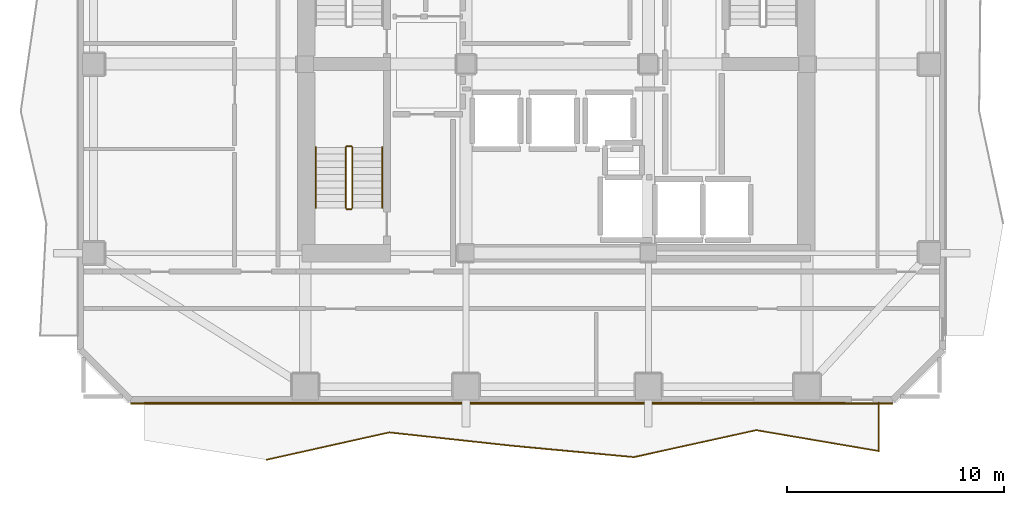
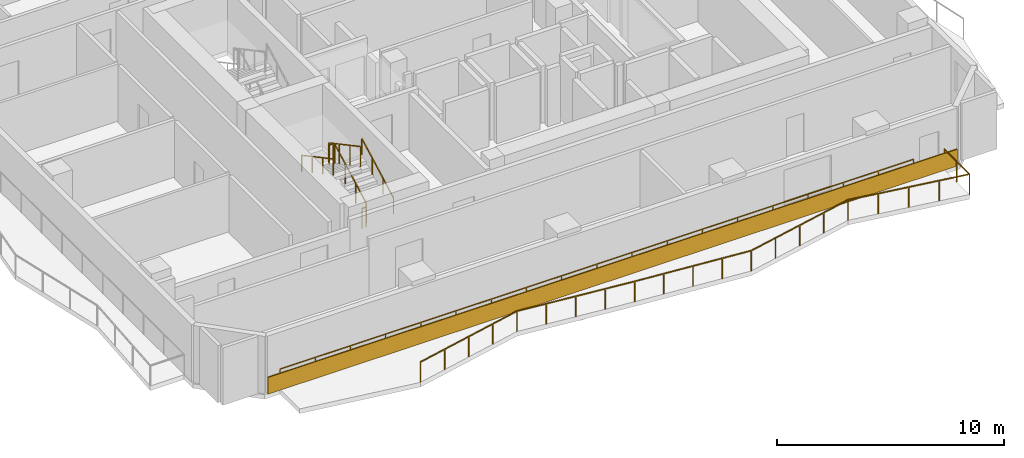
# One storey, part 7 of 10: 8 railings, 1 covering.
"""IFC4 building model written with IfcOpenShell, lengths in metres."""

from ifc_helpers import new_model, si_unit, direction, frame, frame_2d, origin, origin_2d, place, context, subcontext, project, spatial, rectangle, extrude, material, layer, layer_set, type_object, element, save


model = new_model("IFC4")

# Units and contexts
model_context = context("Model", 3, precision=1e-05, world=origin(), true_north=direction((0.0, 1.0)))
body_context = subcontext(model_context, "Body", "Model", "MODEL_VIEW")
ifc_project = project(units=[si_unit("LENGTHUNIT", "METRE"), si_unit("AREAUNIT", "SQUARE_METRE"), si_unit("VOLUMEUNIT", "CUBIC_METRE"), si_unit("PLANEANGLEUNIT", "RADIAN"), si_unit("MASSUNIT", "GRAM", prefix="KILO")], contexts=[model_context])

# Site, building, storey
site_placement = place(None, origin())
site = spatial("IfcSite", under=ifc_project, at=site_placement, CompositionType="ELEMENT")
building_placement = place(site_placement, origin())
building = spatial("IfcBuilding", under=site, at=building_placement, Name="Solanera Arch Residences", CompositionType="ELEMENT")
storey_placement = place(building_placement, frame((0.0, 0.0, 176.8798828125)))
storey = spatial("IfcBuildingStorey", under=building, at=storey_placement, Name="L51", CompositionType="ELEMENT", Elevation=176.8798828125)

# Railings
ifc_material_1 = material(Name="Steel S355 (ASTM A992 / A572 Grade 50)", Category="steel")
railing_type_1 = type_object("IfcRailingType", Name="Balustrade Railing BL-1100", PredefinedType="BALUSTRADE", material=ifc_material_1)
railing_1_placement = place(storey_placement, frame((11.633056640625, 12.488037109375, 0.0)))
element("IfcRailing", 1, at=railing_1_placement, inside=storey, type_object=railing_type_1, Name="L51 S Balcony Balustrade 1", PredefinedType="BALUSTRADE", context=body_context, shape_type="SweptSolid", body=[
    extrude(rectangle(XDim=0.048095703125, YDim=0.048095703125, at=origin_2d()), frame((0.0, 0.0, 1.09619140625), z_axis=(0.976000610844, 0.217767783734, 0.0), x_axis=(-0.217767783734, 0.976000610844, 0.0)), (0.0, 0.0, 1.0), 5.7724609375),
    extrude(rectangle(XDim=0.048095703125, YDim=0.048095703125, at=origin_2d()), frame((5.634033203125, 1.257080078125, 1.09619140625), z_axis=(0.994129762453, -0.108194340912, 0.0), x_axis=(0.108194340912, 0.994129762453, 0.0)), (0.0, 0.0, 1.0), 5.666015625),
    extrude(rectangle(XDim=0.048095703125, YDim=0.048095703125, at=origin_2d()), frame((11.266845703125, 0.64404296875, 1.09619140625), z_axis=(0.995698531448, -0.092652223249, 0.0), x_axis=(0.092652223249, 0.995698531448, 0.0)), (0.0, 0.0, 1.0), 5.657470703125),
    extrude(rectangle(XDim=0.048095703125, YDim=0.048095703125, at=origin_2d()), frame((16.89990234375, 0.119873046875, 1.09619140625), z_axis=(0.976626169029, 0.214944937059, 0.0), x_axis=(-0.214944937059, 0.976626169029, 0.0)), (0.0, 0.0, 1.0), 5.768798828125),
    extrude(rectangle(XDim=0.048095703125, YDim=0.048095703125, at=origin_2d()), frame((22.533935546875, 1.35986328125, 1.09619140625), z_axis=(0.985788068552, -0.16799370197, 0.0), x_axis=(0.16799370197, 0.985788068552, 0.0)), (0.0, 0.0, 1.0), 5.71435546875),
    extrude(rectangle(XDim=0.048095703125, YDim=0.048095703125, at=origin_2d()), frame((28.1669921875, 0.39990234375, 1.09619140625), z_axis=(0.0, 1.0, 0.0), x_axis=(-1.0, 0.0, 0.0)), (0.0, 0.0, 1.0), 2.232177734375),
    extrude(rectangle(XDim=0.0419921875, YDim=0.0419921875, at=origin_2d()), origin(), (0.0, 0.0, 1.0), 1.072021484375),
    extrude(rectangle(XDim=0.0419921875, YDim=0.0419921875, at=origin_2d()), frame((1.408447265625, 0.314208984375, 0.0)), (0.0, 0.0, 1.0), 1.072021484375),
    extrude(rectangle(XDim=0.0419921875, YDim=0.0419921875, at=origin_2d()), frame((2.81689453125, 0.62841796875, 0.0)), (0.0, 0.0, 1.0), 1.072021484375),
    extrude(rectangle(XDim=0.0419921875, YDim=0.0419921875, at=origin_2d()), frame((4.2255859375, 0.94287109375, 0.0)), (0.0, 0.0, 1.0), 1.072021484375),
    extrude(rectangle(XDim=0.0419921875, YDim=0.0419921875, at=origin_2d()), frame((5.634033203125, 1.257080078125, 0.0)), (0.0, 0.0, 1.0), 1.072021484375),
    extrude(rectangle(XDim=0.0419921875, YDim=0.0419921875, at=origin_2d()), frame((7.042236328125, 1.103759765625, 0.0)), (0.0, 0.0, 1.0), 1.072021484375),
    extrude(rectangle(XDim=0.0419921875, YDim=0.0419921875, at=origin_2d()), frame((8.450439453125, 0.95068359375, 0.0)), (0.0, 0.0, 1.0), 1.072021484375),
    extrude(rectangle(XDim=0.0419921875, YDim=0.0419921875, at=origin_2d()), frame((9.858642578125, 0.79736328125, 0.0)), (0.0, 0.0, 1.0), 1.072021484375),
    extrude(rectangle(XDim=0.0419921875, YDim=0.0419921875, at=origin_2d()), frame((11.266845703125, 0.64404296875, 0.0)), (0.0, 0.0, 1.0), 1.072021484375),
    extrude(rectangle(XDim=0.0419921875, YDim=0.0419921875, at=origin_2d()), frame((12.675048828125, 0.512939453125, 0.0)), (0.0, 0.0, 1.0), 1.072021484375),
    extrude(rectangle(XDim=0.0419921875, YDim=0.0419921875, at=origin_2d()), frame((14.08349609375, 0.3818359375, 0.0)), (0.0, 0.0, 1.0), 1.072021484375),
    extrude(rectangle(XDim=0.0419921875, YDim=0.0419921875, at=origin_2d()), frame((15.49169921875, 0.2509765625, 0.0)), (0.0, 0.0, 1.0), 1.072021484375),
    extrude(rectangle(XDim=0.0419921875, YDim=0.0419921875, at=origin_2d()), frame((16.89990234375, 0.119873046875, 0.0)), (0.0, 0.0, 1.0), 1.072021484375),
    extrude(rectangle(XDim=0.0419921875, YDim=0.0419921875, at=origin_2d()), frame((18.308349609375, 0.429931640625, 0.0)), (0.0, 0.0, 1.0), 1.072021484375),
    extrude(rectangle(XDim=0.0419921875, YDim=0.0419921875, at=origin_2d()), frame((19.716796875, 0.73974609375, 0.0)), (0.0, 0.0, 1.0), 1.072021484375),
    extrude(rectangle(XDim=0.0419921875, YDim=0.0419921875, at=origin_2d()), frame((21.12548828125, 1.0498046875, 0.0)), (0.0, 0.0, 1.0), 1.072021484375),
    extrude(rectangle(XDim=0.0419921875, YDim=0.0419921875, at=origin_2d()), frame((22.533935546875, 1.35986328125, 0.0)), (0.0, 0.0, 1.0), 1.072021484375),
    extrude(rectangle(XDim=0.0419921875, YDim=0.0419921875, at=origin_2d()), frame((23.942138671875, 1.119873046875, 0.0)), (0.0, 0.0, 1.0), 1.072021484375),
    extrude(rectangle(XDim=0.0419921875, YDim=0.0419921875, at=origin_2d()), frame((25.3505859375, 0.8798828125, 0.0)), (0.0, 0.0, 1.0), 1.072021484375),
    extrude(rectangle(XDim=0.0419921875, YDim=0.0419921875, at=origin_2d()), frame((26.7587890625, 0.639892578125, 0.0)), (0.0, 0.0, 1.0), 1.072021484375),
    extrude(rectangle(XDim=0.0419921875, YDim=0.0419921875, at=origin_2d()), frame((28.1669921875, 0.39990234375, 0.0)), (0.0, 0.0, 1.0), 1.072021484375),
    extrude(rectangle(XDim=0.0419921875, YDim=0.0419921875, at=origin_2d()), frame((28.1669921875, 1.51611328125, 0.0)), (0.0, 0.0, 1.0), 1.072021484375),
    extrude(rectangle(XDim=0.0419921875, YDim=0.0419921875, at=origin_2d()), frame((28.1669921875, 2.632080078125, 0.0)), (0.0, 0.0, 1.0), 1.072021484375),
])
railing_2_placement = place(storey_placement, frame((38.240966796875, 15.1201171875, 0.0)))
element("IfcRailing", 2, at=railing_2_placement, inside=storey, type_object=railing_type_1, Name="L51 S Balcony Balustrade 2", PredefinedType="BALUSTRADE", context=body_context, shape_type="SweptSolid", body=[
    extrude(rectangle(XDim=0.048095703125, YDim=0.048095703125, at=origin_2d()), frame((0.0, 0.0, 1.09619140625), z_axis=(-1.0, 0.0, 0.0), x_axis=(0.0, -1.0, 0.0)), (0.0, 0.0, 1.0), 32.240966796875),
    extrude(rectangle(XDim=0.0419921875, YDim=0.0419921875, at=origin_2d()), origin(), (0.0, 0.0, 1.0), 1.072021484375),
    extrude(rectangle(XDim=0.0419921875, YDim=0.0419921875, at=origin_2d()), frame((-1.791259765625, 0.0, 0.0)), (0.0, 0.0, 1.0), 1.072021484375),
    extrude(rectangle(XDim=0.0419921875, YDim=0.0419921875, at=origin_2d()), frame((-3.582275390625, 0.0, 0.0)), (0.0, 0.0, 1.0), 1.072021484375),
    extrude(rectangle(XDim=0.0419921875, YDim=0.0419921875, at=origin_2d()), frame((-5.37353515625, 0.0, 0.0)), (0.0, 0.0, 1.0), 1.072021484375),
    extrude(rectangle(XDim=0.0419921875, YDim=0.0419921875, at=origin_2d()), frame((-7.16455078125, 0.0, 0.0)), (0.0, 0.0, 1.0), 1.072021484375),
    extrude(rectangle(XDim=0.0419921875, YDim=0.0419921875, at=origin_2d()), frame((-8.955810546875, 0.0, 0.0)), (0.0, 0.0, 1.0), 1.072021484375),
    extrude(rectangle(XDim=0.0419921875, YDim=0.0419921875, at=origin_2d()), frame((-10.7470703125, 0.0, 0.0)), (0.0, 0.0, 1.0), 1.072021484375),
    extrude(rectangle(XDim=0.0419921875, YDim=0.0419921875, at=origin_2d()), frame((-12.5380859375, 0.0, 0.0)), (0.0, 0.0, 1.0), 1.072021484375),
    extrude(rectangle(XDim=0.0419921875, YDim=0.0419921875, at=origin_2d()), frame((-14.329345703125, 0.0, 0.0)), (0.0, 0.0, 1.0), 1.072021484375),
    extrude(rectangle(XDim=0.0419921875, YDim=0.0419921875, at=origin_2d()), frame((-16.12060546875, 0.0, 0.0)), (0.0, 0.0, 1.0), 1.072021484375),
    extrude(rectangle(XDim=0.0419921875, YDim=0.0419921875, at=origin_2d()), frame((-17.91162109375, 0.0, 0.0)), (0.0, 0.0, 1.0), 1.072021484375),
    extrude(rectangle(XDim=0.0419921875, YDim=0.0419921875, at=origin_2d()), frame((-19.702880859375, 0.0, 0.0)), (0.0, 0.0, 1.0), 1.072021484375),
    extrude(rectangle(XDim=0.0419921875, YDim=0.0419921875, at=origin_2d()), frame((-21.493896484375, 0.0, 0.0)), (0.0, 0.0, 1.0), 1.072021484375),
    extrude(rectangle(XDim=0.0419921875, YDim=0.0419921875, at=origin_2d()), frame((-23.28515625, 0.0, 0.0)), (0.0, 0.0, 1.0), 1.072021484375),
    extrude(rectangle(XDim=0.0419921875, YDim=0.0419921875, at=origin_2d()), frame((-25.076416015625, 0.0, 0.0)), (0.0, 0.0, 1.0), 1.072021484375),
    extrude(rectangle(XDim=0.0419921875, YDim=0.0419921875, at=origin_2d()), frame((-26.867431640625, 0.0, 0.0)), (0.0, 0.0, 1.0), 1.072021484375),
    extrude(rectangle(XDim=0.0419921875, YDim=0.0419921875, at=origin_2d()), frame((-28.65869140625, 0.0, 0.0)), (0.0, 0.0, 1.0), 1.072021484375),
    extrude(rectangle(XDim=0.0419921875, YDim=0.0419921875, at=origin_2d()), frame((-30.44970703125, 0.0, 0.0)), (0.0, 0.0, 1.0), 1.072021484375),
    extrude(rectangle(XDim=0.0419921875, YDim=0.0419921875, at=origin_2d()), frame((-32.240966796875, 0.0, 0.0)), (0.0, 0.0, 1.0), 1.072021484375),
])

# Covering
ifc_material_2 = material(Name="Philippine Adobe Travertine Cladding", Category="masonry")
ifc_layer = layer(ifc_material_2, 0.06005859375)
ifc_layer_set = layer_set([ifc_layer], Name="Philippine Adobe Travertine Cladding")
covering_type = type_object("IfcCoveringType", Name="Precast Pier Stone Cladding CLD-60", PredefinedType="CLADDING", material=ifc_layer_set)
covering_placement = place(storey_placement, frame((40.445068359375, 15.0849609375, 0.0), z_axis=(0.0, 0.0, 1.0), x_axis=(-1.0, 0.0, 0.0)))
element("IfcCovering", 3, at=covering_placement, inside=storey, type_object=covering_type, Name="L51 S Precast Spandrel Stone Band", PredefinedType="CLADDING", context=body_context, shape_type="SweptSolid", body=[
    extrude(rectangle(XDim=35.090087890625, YDim=0.06005859375, at=frame_2d((17.544921875, 0.0))), origin(), (0.0, 0.0, 1.0), 0.900146484375),
])

# Railings
ifc_material_3 = material(Name="Steel S355 (ASTM A992 / A572 Grade 50)", Category="steel")
railing_type_2 = type_object("IfcRailingType", Name="Stair Guardrail GR-1100", PredefinedType="GUARDRAIL", material=ifc_material_3)
railing_3_placement = place(storey_placement, frame((15.570068359375, 24.080078125, 0.151123046875)))
element("IfcRailing", 4, at=railing_3_placement, inside=storey, type_object=railing_type_2, Name="L51 ST-T3 stair guard 1", PredefinedType="GUARDRAIL", context=body_context, shape_type="SweptSolid", body=[
    extrude(rectangle(XDim=0.048095703125, YDim=0.048095703125, at=origin_2d()), frame((0.0, 0.0, 1.076171875), z_axis=(0.0, 0.881580869306, 0.472033018838), x_axis=(-1.0, 0.0, 0.0)), (0.0, 0.0, 1.0), 3.164794921875),
    extrude(rectangle(XDim=0.0419921875, YDim=0.0419921875, at=origin_2d()), origin(), (0.0, 0.0, 1.0), 1.052001953125),
    extrude(rectangle(XDim=0.0419921875, YDim=0.0419921875, at=origin_2d()), frame((0.0, 0.929931640625, 0.498046875)), (0.0, 0.0, 1.0), 1.052001953125),
    extrude(rectangle(XDim=0.0419921875, YDim=0.0419921875, at=origin_2d()), frame((0.0, 1.860107421875, 0.995849609375)), (0.0, 0.0, 1.0), 1.052001953125),
    extrude(rectangle(XDim=0.0419921875, YDim=0.0419921875, at=origin_2d()), frame((0.0, 2.7900390625, 1.493896484375)), (0.0, 0.0, 1.0), 1.052001953125),
])
railing_4_placement = place(storey_placement, frame((15.52001953125, 26.919921875, 1.64501953125)))
element("IfcRailing", 5, at=railing_4_placement, inside=storey, type_object=railing_type_2, Name="L51 ST-T3 stair guard 2", PredefinedType="GUARDRAIL", context=body_context, shape_type="SweptSolid", body=[
    extrude(rectangle(XDim=0.048095703125, YDim=0.048095703125, at=origin_2d()), frame((0.0, 0.0, 1.076171875), z_axis=(-1.0, 0.0, 0.0), x_axis=(0.0, -1.0, 0.0)), (0.0, 0.0, 1.0), 0.199951171875),
    extrude(rectangle(XDim=0.0419921875, YDim=0.0419921875, at=origin_2d()), origin(), (0.0, 0.0, 1.0), 1.052001953125),
    extrude(rectangle(XDim=0.0419921875, YDim=0.0419921875, at=origin_2d()), frame((-0.199951171875, 0.0, 0.0)), (0.0, 0.0, 1.0), 1.052001953125),
])
railing_5_placement = place(storey_placement, frame((15.27001953125, 26.8701171875, 1.81103515625)))
element("IfcRailing", 6, at=railing_5_placement, inside=storey, type_object=railing_type_2, Name="L51 ST-T3 stair guard 3", PredefinedType="GUARDRAIL", context=body_context, shape_type="SweptSolid", body=[
    extrude(rectangle(XDim=0.048095703125, YDim=0.048095703125, at=origin_2d()), frame((0.0, 0.0, 1.076171875), z_axis=(0.0, -0.881548766853, 0.472092969298), x_axis=(1.0, 0.0, 0.0)), (0.0, 0.0, 1.0), 3.1650390625),
    extrude(rectangle(XDim=0.0419921875, YDim=0.0419921875, at=origin_2d()), origin(), (0.0, 0.0, 1.0), 1.052001953125),
    extrude(rectangle(XDim=0.0419921875, YDim=0.0419921875, at=origin_2d()), frame((0.0, -0.929931640625, 0.498046875)), (0.0, 0.0, 1.0), 1.052001953125),
    extrude(rectangle(XDim=0.0419921875, YDim=0.0419921875, at=origin_2d()), frame((0.0, -1.860107421875, 0.99609375)), (0.0, 0.0, 1.0), 1.052001953125),
    extrude(rectangle(XDim=0.0419921875, YDim=0.0419921875, at=origin_2d()), frame((0.0, -2.7900390625, 1.494140625)), (0.0, 0.0, 1.0), 1.052001953125),
])
railing_6_placement = place(storey_placement, frame((15.52001953125, 24.030029296875, -0.014892578125)))
element("IfcRailing", 7, at=railing_6_placement, inside=storey, type_object=railing_type_2, Name="L51 ST-T3 stair guard 4", PredefinedType="GUARDRAIL", context=body_context, shape_type="SweptSolid", body=[
    extrude(rectangle(XDim=0.048095703125, YDim=0.048095703125, at=origin_2d()), frame((0.0, 0.0, 1.076171875), z_axis=(-1.0, 0.0, 0.0), x_axis=(0.0, -1.0, 0.0)), (0.0, 0.0, 1.0), 0.199951171875),
    extrude(rectangle(XDim=0.0419921875, YDim=0.0419921875, at=origin_2d()), origin(), (0.0, 0.0, 1.0), 1.052001953125),
    extrude(rectangle(XDim=0.0419921875, YDim=0.0419921875, at=origin_2d()), frame((-0.199951171875, 0.0, 0.0)), (0.0, 0.0, 1.0), 1.052001953125),
])
ifc_material_4 = material(Name="Steel S355 (ASTM A992 / A572 Grade 50)", Category="steel")
railing_type_3 = type_object("IfcRailingType", Name="Stair Wall Handrail HR-920", PredefinedType="HANDRAIL", material=ifc_material_4)
railing_7_placement = place(storey_placement, frame((16.949951171875, 24.080078125, 0.166015625)))
element("IfcRailing", 8, at=railing_7_placement, inside=storey, type_object=railing_type_3, Name="L51 ST-T3 stair handrail 1", PredefinedType="HANDRAIL", context=body_context, shape_type="SweptSolid", body=[
    extrude(rectangle(XDim=0.048095703125, YDim=0.048095703125, at=origin_2d()), frame((0.0, 0.0, 0.8759765625), z_axis=(0.0, 0.881548766853, 0.472092969298), x_axis=(-1.0, 0.0, 0.0)), (0.0, 0.0, 1.0), 3.1650390625),
    extrude(rectangle(XDim=0.0419921875, YDim=0.0419921875, at=origin_2d()), origin(), (0.0, 0.0, 1.0), 0.851806640625),
    extrude(rectangle(XDim=0.0419921875, YDim=0.0419921875, at=origin_2d()), frame((0.0, 0.929931640625, 0.498046875)), (0.0, 0.0, 1.0), 0.851806640625),
    extrude(rectangle(XDim=0.0419921875, YDim=0.0419921875, at=origin_2d()), frame((0.0, 1.860107421875, 0.99609375)), (0.0, 0.0, 1.0), 0.851806640625),
    extrude(rectangle(XDim=0.0419921875, YDim=0.0419921875, at=origin_2d()), frame((0.0, 2.7900390625, 1.494140625)), (0.0, 0.0, 1.0), 0.851806640625),
])
railing_8_placement = place(storey_placement, frame((13.889892578125, 26.8701171875, 1.826171875)))
element("IfcRailing", 9, at=railing_8_placement, inside=storey, type_object=railing_type_3, Name="L51 ST-T3 stair handrail 2", PredefinedType="HANDRAIL", context=body_context, shape_type="SweptSolid", body=[
    extrude(rectangle(XDim=0.048095703125, YDim=0.048095703125, at=origin_2d()), frame((0.0, 0.0, 0.8759765625), z_axis=(0.0, -0.881580869306, 0.472033018838), x_axis=(1.0, 0.0, 0.0)), (0.0, 0.0, 1.0), 3.164794921875),
    extrude(rectangle(XDim=0.0419921875, YDim=0.0419921875, at=origin_2d()), origin(), (0.0, 0.0, 1.0), 0.851806640625),
    extrude(rectangle(XDim=0.0419921875, YDim=0.0419921875, at=origin_2d()), frame((0.0, -0.929931640625, 0.498046875)), (0.0, 0.0, 1.0), 0.851806640625),
    extrude(rectangle(XDim=0.0419921875, YDim=0.0419921875, at=origin_2d()), frame((0.0, -1.860107421875, 0.995849609375)), (0.0, 0.0, 1.0), 0.851806640625),
    extrude(rectangle(XDim=0.0419921875, YDim=0.0419921875, at=origin_2d()), frame((0.0, -2.7900390625, 1.493896484375)), (0.0, 0.0, 1.0), 0.851806640625),
])

save(model, "model.ifc")
